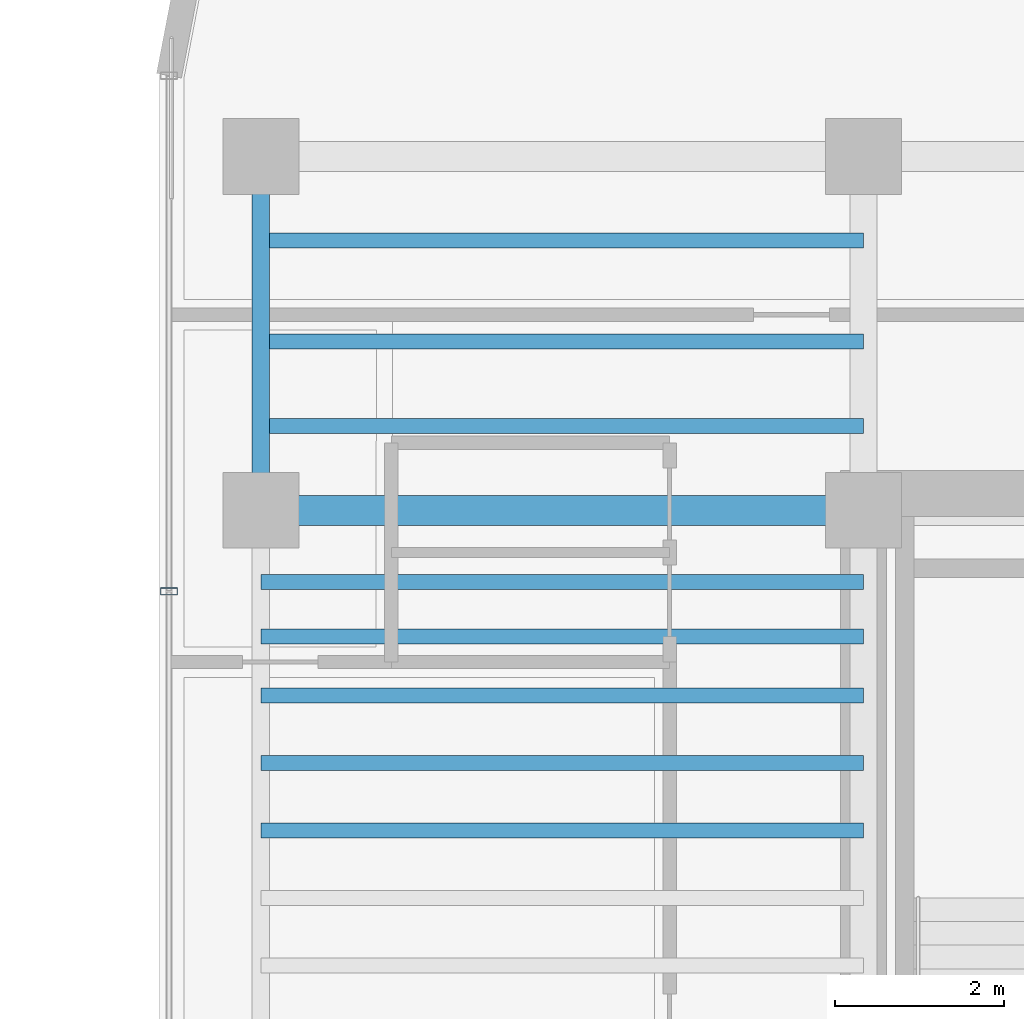
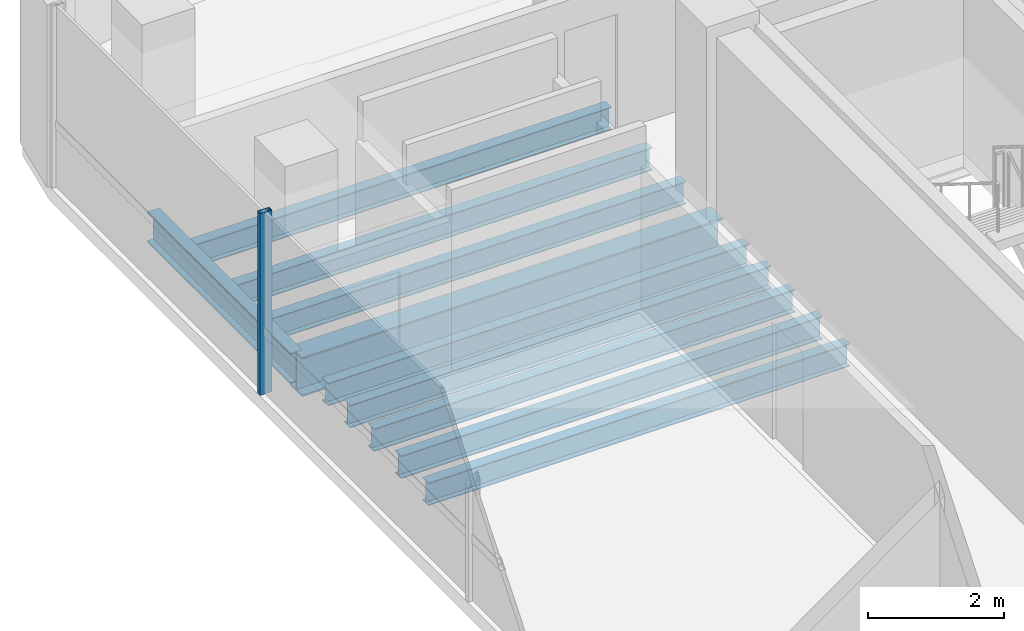
# One storey, part 9 of 22: 10 beams, 1 member, 1 element without a shape of its own.
"""IFC4 building model written with IfcOpenShell, lengths in metres."""

from ifc_helpers import new_model, si_unit, direction, frame, origin, origin_2d, place, context, subcontext, project, spatial, hollow_rectangle, i_section, extrude, source, transform, mapped, material, material_profile, profile_set, type_object, element, aggregate, save


model = new_model("IFC4")

# Units and contexts
model_context = context("Model", 3, precision=1e-05, world=origin(), true_north=direction((0.0, 1.0)))
body_context = subcontext(model_context, "Body", "Model", "MODEL_VIEW")
ifc_project = project(units=[si_unit("LENGTHUNIT", "METRE"), si_unit("AREAUNIT", "SQUARE_METRE"), si_unit("VOLUMEUNIT", "CUBIC_METRE"), si_unit("PLANEANGLEUNIT", "RADIAN"), si_unit("MASSUNIT", "GRAM", prefix="KILO")], contexts=[model_context])

# Site, building, storey
site_placement = place(None, origin())
site = spatial("IfcSite", under=ifc_project, at=site_placement, CompositionType="ELEMENT")
building_placement = place(site_placement, origin())
building = spatial("IfcBuilding", under=site, at=building_placement, Name="Valdorenza Pilgrim Sanctuary Tower", CompositionType="ELEMENT")
storey_placement = place(building_placement, frame((0.0, 0.0, 237.0)))
storey = spatial("IfcBuildingStorey", under=building, at=storey_placement, Name="L61", CompositionType="ELEMENT", Elevation=237.0)

# Beams
ifc_material_1 = material(Name="Steel ASTM A992 Grade 50", Category="steel")
ifc_material_profile_1 = material_profile(ifc_material_1, i_section(OverallWidth=0.2109375, OverallDepth=0.5390625, WebThickness=0.01171875, FlangeThickness=0.018798828125, at=origin_2d()), Name="W21X73")
ifc_profile_set_1 = profile_set([ifc_material_profile_1], Name="Steel ASTM A992 Grade 50")
beam_type_1 = type_object("IfcBeamType", Name="STR-BM-SPN-W21B", PredefinedType="SPANDREL", material=ifc_profile_set_1)
shared_shape_1 = source(origin(), body_context, "Body", "SweptSolid", [
    extrude(i_section(OverallWidth=0.2109375, OverallDepth=0.5390625, WebThickness=0.01171875, FlangeThickness=0.018798828125, at=origin_2d()), origin(), (0.0, 0.0, 1.0), 4.199951171875),
])
beam_1_placement = place(storey_placement, frame((-29.800048828125, 10.60009765625, -0.509521484375), z_axis=(0.0, 1.0, 0.0), x_axis=(-1.0, 0.0, 0.0)))
element("IfcBeam", 1, at=beam_1_placement, inside=storey, type_object=beam_type_1, Name="L61 Spandrel Beam WA-W-N1N2", PredefinedType="SPANDREL", context=body_context, shape_type="MappedRepresentation", body=[
    mapped(shared_shape_1, transform((0.0, 0.0, 0.0), x_axis=(1.0, 0.0, 0.0), y_axis=(0.0, 1.0, 0.0), z_axis=(0.0, 0.0, 1.0), scale=1.0)),
])
ifc_material_profile_2 = material_profile(ifc_material_1, i_section(OverallWidth=0.35595703125, OverallDepth=0.700927734375, WebThickness=0.016845703125, FlangeThickness=0.02734375, at=origin_2d()), Name="W27X161")
ifc_profile_set_2 = profile_set([ifc_material_profile_2], Name="Steel ASTM A992 Grade 50")
beam_type_2 = type_object("IfcBeamType", Name="STR-BM-GRD-W27", PredefinedType="BEAM", material=ifc_profile_set_2)
shared_shape_2 = source(origin(), body_context, "Body", "SweptSolid", [
    extrude(i_section(OverallWidth=0.35595703125, OverallDepth=0.700927734375, WebThickness=0.016845703125, FlangeThickness=0.02734375, at=origin_2d()), origin(), (0.0, 0.0, 1.0), 7.150146484375),
])
beam_2_placement = place(storey_placement, frame((-29.800048828125, 10.60009765625, -0.590576171875), z_axis=(1.0, 0.0, 0.0), x_axis=(0.0, 1.0, 0.0)))
element("IfcBeam", 2, at=beam_2_placement, inside=storey, type_object=beam_type_2, Name="L61 Floor Girder WA-XW-N1", PredefinedType="BEAM", context=body_context, shape_type="MappedRepresentation", body=[
    mapped(shared_shape_2, transform((0.0, 0.0, 0.0), x_axis=(1.0, 0.0, 0.0), y_axis=(0.0, 1.0, 0.0), z_axis=(0.0, 0.0, 1.0), scale=1.0)),
])
ifc_material_profile_3 = material_profile(ifc_material_1, i_section(OverallWidth=0.177978515625, OverallDepth=0.406005859375, WebThickness=0.0078125, FlangeThickness=0.0126953125, at=origin_2d()), Name="W16X40")
ifc_profile_set_3 = profile_set([ifc_material_profile_3], Name="Steel ASTM A992 Grade 50")
beam_type_3 = type_object("IfcBeamType", Name="STR-BM-JST-W16", PredefinedType="JOIST", material=ifc_profile_set_3)
shared_shape_3 = source(origin(), body_context, "Body", "SweptSolid", [
    extrude(i_section(OverallWidth=0.177978515625, OverallDepth=0.406005859375, WebThickness=0.0078125, FlangeThickness=0.0126953125, at=origin_2d()), origin(), (0.0, 0.0, 1.0), 7.150146484375),
])
for number, where, z_axis, x_axis, name in (
    (3, (-29.800048828125, 6.800048828125, -0.443115234375), (1.0, 0.0, 0.0), (0.0, 1.0, 0.0), "L61 Composite Floor Joist JST-WA-19"),
    (4, (-29.800048828125, 7.60009765625, -0.443115234375), (1.0, 0.0, 0.0), (0.0, 1.0, 0.0), "L61 Composite Floor Joist JST-WA-20"),
    (5, (-29.800048828125, 8.39990234375, -0.443115234375), (1.0, 0.0, 0.0), (0.0, 1.0, 0.0), "L61 Composite Floor Joist JST-WA-21"),
    (6, (-29.800048828125, 9.10009765625, -0.443115234375), (1.0, 0.0, 0.0), (0.0, 1.0, 0.0), "L61 Composite Floor Joist JST-WA-22"),
    (7, (-29.800048828125, 9.75, -0.443115234375), (1.0, 0.0, 0.0), (0.0, 1.0, 0.0), "L61 Composite Floor Joist JST-WA-23"),
    (8, (-29.800048828125, 11.60009765625, -0.443115234375), (1.0, 0.0, 0.0), (0.0, 1.0, 0.0), "L61 Composite Floor Joist JST-WA-24"),
    (9, (-29.800048828125, 12.60009765625, -0.443115234375), (1.0, 0.0, 0.0), (0.0, 1.0, 0.0), "L61 Composite Floor Joist JST-WA-25"),
    (10, (-29.800048828125, 13.800048828125, -0.443115234375), (1.0, 0.0, 0.0), (0.0, 1.0, 0.0), "L61 Composite Floor Joist JST-WA-26"),
):
    element("IfcBeam", number, at=place(storey_placement, frame(where, z_axis=z_axis, x_axis=x_axis)), inside=storey, type_object=beam_type_3, Name=name, PredefinedType="JOIST", context=body_context, shape_type="MappedRepresentation", body=[
        mapped(shared_shape_3, transform((0.0, 0.0, 0.0), x_axis=(1.0, 0.0, 0.0), y_axis=(0.0, 1.0, 0.0), z_axis=(0.0, 0.0, 1.0), scale=1.0)),
    ])

# Curtain wall, member
ifc_material_2 = material(Name="Curtain-wall IGU glazing", Category="glass")
curtain_wall_type = type_object("IfcCurtainWallType", Name="CW-SYS-02", PredefinedType="NOTDEFINED", material=ifc_material_2)
curtain_wall_placement = place(storey_placement, origin())
curtain_wall = element("IfcCurtainWall", 11, at=curtain_wall_placement, inside=storey, type_object=curtain_wall_type, Name="L61 Curtain Wall CW-L61-1-1S2", PredefinedType="NOTDEFINED")
ifc_material_3 = material(Name="Anodised aluminium AW-6060", Category="aluminium")
ifc_material_profile_4 = material_profile(ifc_material_3, hollow_rectangle(XDim=0.0849609375, YDim=0.199951171875, WallThickness=0.0048828125, at=origin_2d()), Name="ALU-M 200x85x5")
ifc_profile_set_4 = profile_set([ifc_material_profile_4], Name="Anodised aluminium AW-6060")
member_type = type_object("IfcMemberType", Name="CW-MUL-02", PredefinedType="MULLION", material=ifc_profile_set_4)
shared_shape_4 = source(origin(), body_context, "Body", "SweptSolid", [
    extrude(hollow_rectangle(XDim=0.0849609375, YDim=0.199951171875, WallThickness=0.0048828125, at=origin_2d()), origin(), (0.0, 0.0, 1.0), 3.260009765625),
])
member_placement = place(storey_placement, frame((-30.889892578125, 9.63818359375, 0.0), z_axis=(0.0, 0.0, 1.0), x_axis=(0.0, 1.0, 0.0)))
member = element("IfcMember", 12, at=member_placement, type_object=member_type, Name="CW-L61-1-1S2 Mullion 3", PredefinedType="MULLION", context=body_context, shape_type="MappedRepresentation", body=[
    mapped(shared_shape_4, transform((0.0, 0.0, 0.0), x_axis=(1.0, 0.0, 0.0), y_axis=(0.0, 1.0, 0.0), z_axis=(0.0, 0.0, 1.0), scale=1.0)),
])
aggregate(curtain_wall, [member])

save(model, "model.ifc")
